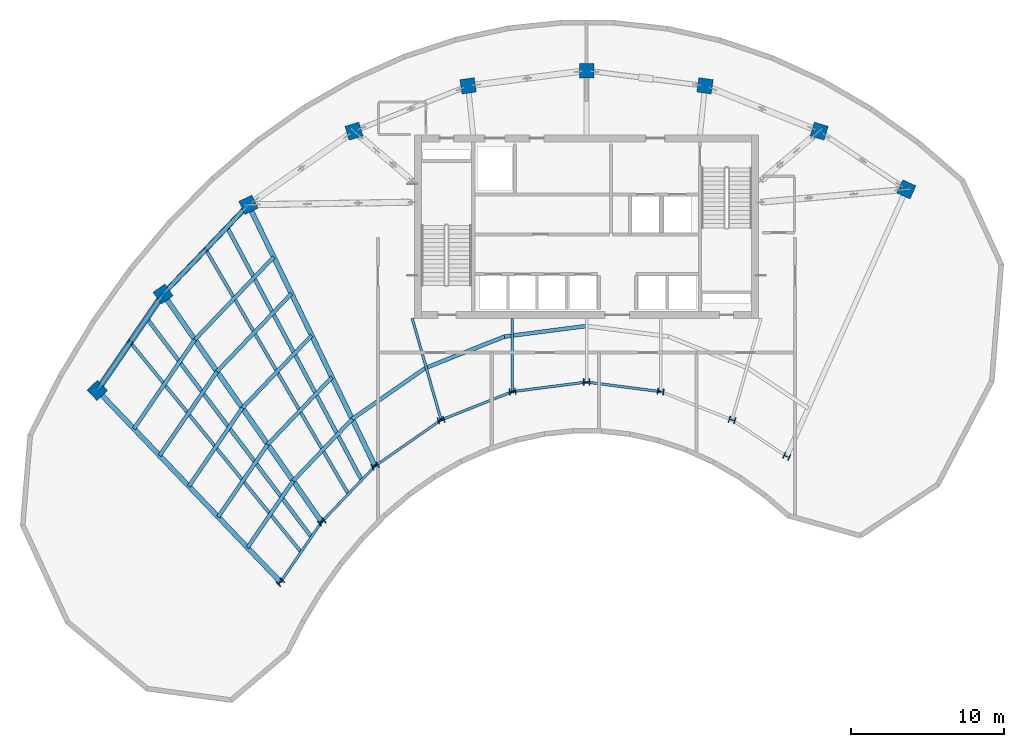
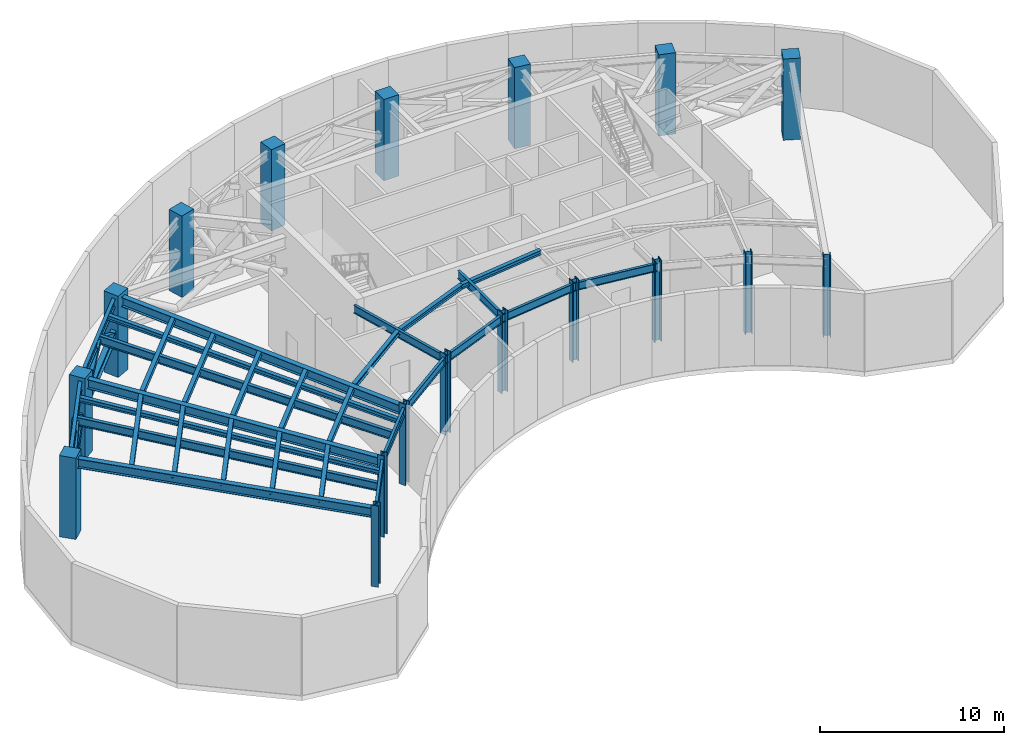
# One storey, part 1 of 10: 32 beams, 18 columns, 4 members.
"""IFC4 building model written with IfcOpenShell, lengths in metres."""

from ifc_helpers import new_model, si_unit, direction, frame, origin, origin_2d, place, context, subcontext, project, spatial, rectangle, hollow_rectangle, i_section, extrude, source, transform, mapped, material, material_profile, profile_set, type_object, type_shapes, element, save


model = new_model("IFC4")

# Units and contexts
model_context = context("Model", 3, precision=1e-05, world=origin(), true_north=direction((0.0, 1.0)))
body_context = subcontext(model_context, "Body", "Model", "MODEL_VIEW")
ifc_project = project(units=[si_unit("LENGTHUNIT", "METRE"), si_unit("AREAUNIT", "SQUARE_METRE"), si_unit("VOLUMEUNIT", "CUBIC_METRE"), si_unit("PLANEANGLEUNIT", "RADIAN"), si_unit("MASSUNIT", "GRAM", prefix="KILO")], contexts=[model_context])

# Site, building, storey
site_placement = place(None, origin())
site = spatial("IfcSite", under=ifc_project, at=site_placement, CompositionType="ELEMENT")
building_placement = place(site_placement, origin())
building = spatial("IfcBuilding", under=site, at=building_placement, Name="Breltana Convention Tower", CompositionType="ELEMENT")
storey_placement = place(building_placement, frame((0.0, 0.0, 254.699951171875)))
storey = spatial("IfcBuildingStorey", under=building, at=storey_placement, Name="L62", CompositionType="ELEMENT", Elevation=254.699951171875)

# Columns
ifc_material_1 = material(Name="Steel ASTM A992 Grade 50", Category="steel")
ifc_material_profile_1 = material_profile(ifc_material_1, i_section(OverallWidth=0.406005859375, OverallDepth=0.416015625, WebThickness=0.02978515625, FlangeThickness=0.048095703125, at=origin_2d()), Name="W14X257")
ifc_profile_set_1 = profile_set([ifc_material_profile_1], Name="Steel ASTM A992 Grade 50")
column_type_1 = type_object("IfcColumnType", Name="COL-STL-W14X257", PredefinedType="COLUMN", material=ifc_profile_set_1)
shared_shape_1 = source(origin(), body_context, "Body", "SweptSolid", [
    extrude(i_section(OverallWidth=0.406005859375, OverallDepth=0.416015625, WebThickness=0.02978515625, FlangeThickness=0.048095703125, at=origin_2d()), origin(), (0.0, 0.0, 1.0), 5.400146484375),
])
for number, where, z_axis, x_axis, name in (
    (1, (27.984619140625, 42.95458984375, 0.0), (0.0, 0.0, 1.0), (-0.690756218984, 0.723087716626, 0.0), "L62 Tower Column R01-IN"),
    (2, (30.67724609375, 46.892333984375, 0.0), (0.0, 0.0, 1.0), (-0.571143442153, 0.820850271661, 0.0), "L62 Tower Column R02-IN"),
    (3, (34.166259765625, 50.544921875, 0.0), (0.0, 0.0, 1.0), (-0.436173672171, 0.899862504889, 0.0), "L62 Tower Column R03-IN"),
    (4, (38.485107421875, 53.5576171875, 0.0), (0.0, 0.0, 1.0), (-0.288697611798, 0.957420330337, 0.0), "L62 Tower Column R04-IN"),
    (5, (43.153564453125, 55.41064453125, 0.0), (0.0, 0.0, 1.0), (-0.143492621991, 0.98965138682, 0.0), "L62 Tower Column R05-IN"),
    (6, (48.0, 56.035888671875, 0.0), (0.0, 0.0, 1.0), (0.0, 1.0, 0.0), "L62 Tower Column R06-IN"),
    (7, (52.846435546875, 55.41064453125, 0.0), (0.0, 0.0, 1.0), (0.143492621991, 0.98965138682, 0.0), "L62 Tower Column R07-IN"),
    (8, (57.514892578125, 53.5576171875, 0.0), (0.0, 0.0, 1.0), (0.288697611798, 0.957420330337, 0.0), "L62 Tower Column R08-IN"),
    (9, (61.08203125, 51.174560546875, 0.0), (0.0, 0.0, 1.0), (0.409126902895, 0.912477494148, 0.0), "L62 Tower Column R09-IN"),
):
    element("IfcColumn", number, at=place(storey_placement, frame(where, z_axis=z_axis, x_axis=x_axis)), inside=storey, type_object=column_type_1, Name=name, PredefinedType="COLUMN", context=body_context, shape_type="MappedRepresentation", body=[
        mapped(shared_shape_1, transform((0.0, 0.0, 0.0), scale=1.0)),
    ])
ifc_material_2 = material(Name="Concrete C50/60", Category="concrete")
ifc_material_profile_2 = material_profile(ifc_material_2, rectangle(XDim=0.949951171875, YDim=0.949951171875, at=origin_2d()), Name="RC-COL-950X950")
ifc_profile_set_2 = profile_set([ifc_material_profile_2], Name="Concrete C50/60")
column_type_2 = type_object("IfcColumnType", Name="COL-RC-950", PredefinedType="COLUMN", material=ifc_profile_set_2)
shared_shape_2 = source(origin(), body_context, "Body", "SweptSolid", [
    extrude(rectangle(XDim=0.949951171875, YDim=0.949951171875, at=origin_2d()), origin(), (0.0, 0.0, 1.0), 5.400146484375),
])
for number, where, z_axis, x_axis, name in (
    (10, (16.0068359375, 55.494384765625, 0.0), (0.0, 0.0, 1.0), (-0.690756218984, 0.723087716626, 0.0), "L62 Tower Column R01-OUT"),
    (11, (20.310791015625, 61.78857421875, 0.0), (0.0, 0.0, 1.0), (-0.571143442153, 0.820850271661, 0.0), "L62 Tower Column R02-OUT"),
    (12, (25.8876953125, 67.626953125, 0.0), (0.0, 0.0, 1.0), (-0.436173672171, 0.899862504889, 0.0), "L62 Tower Column R03-OUT"),
    (13, (32.791015625, 72.4423828125, 0.0), (0.0, 0.0, 1.0), (-0.288697611798, 0.957420330337, 0.0), "L62 Tower Column R04-OUT"),
    (14, (40.253173828125, 75.404296875, 0.0), (0.0, 0.0, 1.0), (-0.143492621991, 0.98965138682, 0.0), "L62 Tower Column R05-OUT"),
    (15, (48.0, 76.404052734375, 0.0), (0.0, 0.0, 1.0), (0.0, 1.0, 0.0), "L62 Tower Column R06-OUT"),
    (16, (55.746826171875, 75.404296875, 0.0), (0.0, 0.0, 1.0), (0.143492621991, 0.98965138682, 0.0), "L62 Tower Column R07-OUT"),
    (17, (63.208984375, 72.4423828125, 0.0), (0.0, 0.0, 1.0), (0.288697611798, 0.957420330337, 0.0), "L62 Tower Column R08-OUT"),
    (18, (68.910400390625, 68.63330078125, 0.0), (0.0, 0.0, 1.0), (0.409126902895, 0.912477494148, 0.0), "L62 Tower Column R09-OUT"),
):
    element("IfcColumn", number, at=place(storey_placement, frame(where, z_axis=z_axis, x_axis=x_axis)), inside=storey, type_object=column_type_2, Name=name, PredefinedType="COLUMN", context=body_context, shape_type="MappedRepresentation", body=[
        mapped(shared_shape_2, transform((0.0, 0.0, 0.0), scale=1.0)),
    ])

# Beams
ifc_material_profile_3 = material_profile(ifc_material_1, i_section(OverallWidth=0.323974609375, OverallDepth=0.611083984375, WebThickness=0.0126953125, FlangeThickness=0.01904296875, at=origin_2d()), Name="W24X104")
ifc_profile_set_3 = profile_set([ifc_material_profile_3], Name="Steel ASTM A992 Grade 50")
beam_type_1 = type_object("IfcBeamType", Name="BM-SP-W24X104", PredefinedType="SPANDREL", material=ifc_profile_set_3)
shared_shape_3 = source(origin(), body_context, "Body", "SweptSolid", [
    extrude(i_section(OverallWidth=0.323974609375, OverallDepth=0.611083984375, WebThickness=0.0126953125, FlangeThickness=0.01904296875, at=origin_2d()), origin(), (0.0, 0.0, 1.0), 7.625),
])
type_shapes(beam_type_1, [shared_shape_3])
beam_1_placement = place(storey_placement, frame((16.0068359375, 55.494384765625, 2.75), z_axis=(0.564452031902, 0.825465870694, 0.0), x_axis=(-0.825465870694, 0.564452031902, 0.0)))
element("IfcBeam", 19, at=beam_1_placement, inside=storey, type_object=beam_type_1, Name="L62 Perimeter Belt Truss Sill Chord 01", PredefinedType="SPANDREL", context=body_context, shape_type="MappedRepresentation", body=[
    mapped(shared_shape_3, transform((0.0, 0.0, 0.0), scale=1.0)),
])
shared_shape_4 = source(origin(), body_context, "Body", "SweptSolid", [
    extrude(i_section(OverallWidth=0.323974609375, OverallDepth=0.611083984375, WebThickness=0.0126953125, FlangeThickness=0.01904296875, at=origin_2d()), origin(), (0.0, 0.0, 1.0), 8.073974609375),
])
beam_2_placement = place(storey_placement, frame((20.310791015625, 61.78857421875, 2.75), z_axis=(0.69072885448, 0.723113856588, 0.0), x_axis=(-0.723113856588, 0.69072885448, 0.0)))
element("IfcBeam", 20, at=beam_2_placement, inside=storey, type_object=beam_type_1, Name="L62 Perimeter Belt Truss Sill Chord 02", PredefinedType="SPANDREL", context=body_context, shape_type="MappedRepresentation", body=[
    mapped(shared_shape_4, transform((0.0, 0.0, 0.0), scale=1.0)),
])

# Members
ifc_material_3 = material(Name="Steel EN 10210 S355J2H", Category="steel")
ifc_material_profile_4 = material_profile(ifc_material_3, hollow_rectangle(XDim=0.39990234375, YDim=0.39990234375, WallThickness=0.01611328125, at=origin_2d()), Name="RHS400X400X16")
ifc_profile_set_4 = profile_set([ifc_material_profile_4], Name="Steel EN 10210 S355J2H")
member_type_1 = type_object("IfcMemberType", Name="MB-BR-RHS400X400X16", PredefinedType="BRACE", material=ifc_profile_set_4)
shared_shape_5 = source(origin(), body_context, "Body", "SweptSolid", [
    extrude(hollow_rectangle(XDim=0.39990234375, YDim=0.39990234375, WallThickness=0.01611328125, at=origin_2d()), origin(), (0.0, 0.0, 1.0), 3.833740234375),
])
for number, where, z_axis, x_axis, name in (
    (21, (16.3173828125, 55.948486328125, 2.75), (0.48034568641, 0.702464969745, 0.525177101395), (-0.825465080883, 0.564453186937, 0.0), "L62 Perimeter Belt Truss Brace 01A"),
    (22, (18.158935546875, 58.6416015625, 4.763427734375), (0.48034568641, 0.702464969745, -0.525177101395), (-0.825465080883, 0.564453186937, 0.0), "L62 Perimeter Belt Truss Brace 01B"),
):
    element("IfcMember", number, at=place(storey_placement, frame(where, z_axis=z_axis, x_axis=x_axis)), inside=storey, type_object=member_type_1, Name=name, PredefinedType="BRACE", context=body_context, shape_type="MappedRepresentation", body=[
        mapped(shared_shape_5, transform((0.0, 0.0, 0.0), scale=1.0)),
    ])
ifc_material_profile_5 = material_profile(ifc_material_3, hollow_rectangle(XDim=0.300048828125, YDim=0.300048828125, WallThickness=0.011962890625, at=origin_2d()), Name="RHS300X300X12")
ifc_profile_set_5 = profile_set([ifc_material_profile_5], Name="Steel EN 10210 S355J2H")
member_type_2 = type_object("IfcMemberType", Name="MB-BR-RHS300X300X12", PredefinedType="BRACE", material=ifc_profile_set_5)
shared_shape_6 = source(origin(), body_context, "Body", "SweptSolid", [
    extrude(hollow_rectangle(XDim=0.300048828125, YDim=0.300048828125, WallThickness=0.011962890625, at=origin_2d()), origin(), (0.0, 0.0, 1.0), 4.0263671875),
])
for number, where, z_axis, x_axis, name in (
    (23, (20.69091796875, 62.186279296875, 2.75), (0.598154784914, 0.626228344511, 0.500048911423), (-0.723129787631, 0.690712176121, 0.0), "L62 Perimeter Belt Truss Brace 02A"),
    (24, (23.099365234375, 64.707763671875, 4.763427734375), (0.598154784914, 0.626228344511, -0.500048911423), (-0.723129787631, 0.690712176121, 0.0), "L62 Perimeter Belt Truss Brace 02B"),
):
    element("IfcMember", number, at=place(storey_placement, frame(where, z_axis=z_axis, x_axis=x_axis)), inside=storey, type_object=member_type_2, Name=name, PredefinedType="BRACE", context=body_context, shape_type="MappedRepresentation", body=[
        mapped(shared_shape_6, transform((0.0, 0.0, 0.0), scale=1.0)),
    ])

# Beams
ifc_material_profile_6 = material_profile(ifc_material_1, i_section(OverallWidth=0.166015625, OverallDepth=0.534912109375, WebThickness=0.01025390625, FlangeThickness=0.0166015625, at=origin_2d()), Name="W21X57")
ifc_profile_set_6 = profile_set([ifc_material_profile_6], Name="Steel ASTM A992 Grade 50")
beam_type_2 = type_object("IfcBeamType", Name="BM-BM-W21X57", PredefinedType="BEAM", material=ifc_profile_set_6)
shared_shape_7 = source(origin(), body_context, "Body", "SweptSolid", [
    extrude(i_section(OverallWidth=0.166015625, OverallDepth=0.534912109375, WebThickness=0.01025390625, FlangeThickness=0.0166015625, at=origin_2d()), origin(), (0.0, 0.0, 1.0), 6.904541015625),
])
type_shapes(beam_type_2, [shared_shape_7])
beam_3_placement = place(storey_placement, frame((36.60009765625, 60.199951171875, 4.882568359375), z_axis=(0.273006781054, -0.962012108811, 0.0), x_axis=(0.962012108811, 0.273006781054, 0.0)))
element("IfcBeam", 25, at=beam_3_placement, inside=storey, type_object=beam_type_2, Name="L62 South Core Tie Girder R04", PredefinedType="BEAM", context=body_context, shape_type="MappedRepresentation", body=[
    mapped(shared_shape_7, transform((0.0, 0.0, 0.0), scale=1.0)),
])
shared_shape_8 = source(origin(), body_context, "Body", "SweptSolid", [
    extrude(i_section(OverallWidth=0.166015625, OverallDepth=0.534912109375, WebThickness=0.01025390625, FlangeThickness=0.0166015625, at=origin_2d()), origin(), (0.0, 0.0, 1.0), 4.789306640625),
])
beam_4_placement = place(storey_placement, frame((43.153564453125, 60.199951171875, 4.882568359375), z_axis=(0.0, -1.0, 0.0), x_axis=(1.0, 0.0, 0.0)))
element("IfcBeam", 26, at=beam_4_placement, inside=storey, type_object=beam_type_2, Name="L62 South Core Tie Girder R05", PredefinedType="BEAM", context=body_context, shape_type="MappedRepresentation", body=[
    mapped(shared_shape_8, transform((0.0, 0.0, 0.0), scale=1.0)),
])
shared_shape_9 = source(origin(), body_context, "Body", "SweptSolid", [
    extrude(i_section(OverallWidth=0.166015625, OverallDepth=0.534912109375, WebThickness=0.01025390625, FlangeThickness=0.0166015625, at=origin_2d()), origin(), (0.0, 0.0, 1.0), 4.770263671875),
])
beam_5_placement = place(storey_placement, frame((27.984619140625, 42.95458984375, 4.882568359375), z_axis=(0.564452719055, 0.82546540082, 0.0), x_axis=(-0.82546540082, 0.564452719055, 0.0)))
element("IfcBeam", 27, at=beam_5_placement, inside=storey, type_object=beam_type_2, Name="L62 Inner Ring Beam 01", PredefinedType="BEAM", context=body_context, shape_type="MappedRepresentation", body=[
    mapped(shared_shape_9, transform((0.0, 0.0, 0.0), scale=1.0)),
])
shared_shape_10 = source(origin(), body_context, "Body", "SweptSolid", [
    extrude(i_section(OverallWidth=0.166015625, OverallDepth=0.534912109375, WebThickness=0.01025390625, FlangeThickness=0.0166015625, at=origin_2d()), origin(), (0.0, 0.0, 1.0), 5.05126953125),
])
beam_6_placement = place(storey_placement, frame((30.67724609375, 46.892333984375, 4.882568359375), z_axis=(0.690729753845, 0.7231129975, 0.0), x_axis=(-0.7231129975, 0.690729753845, 0.0)))
element("IfcBeam", 28, at=beam_6_placement, inside=storey, type_object=beam_type_2, Name="L62 Inner Ring Beam 02", PredefinedType="BEAM", context=body_context, shape_type="MappedRepresentation", body=[
    mapped(shared_shape_10, transform((0.0, 0.0, 0.0), scale=1.0)),
])
shared_shape_11 = source(origin(), body_context, "Body", "SweptSolid", [
    extrude(i_section(OverallWidth=0.166015625, OverallDepth=0.534912109375, WebThickness=0.01025390625, FlangeThickness=0.0166015625, at=origin_2d()), origin(), (0.0, 0.0, 1.0), 5.265869140625),
])
beam_7_placement = place(storey_placement, frame((34.166259765625, 50.544921875, 4.882568359375), z_axis=(0.820167429517, 0.572123577176, 0.0), x_axis=(-0.572123577176, 0.820167429517, 0.0)))
element("IfcBeam", 29, at=beam_7_placement, inside=storey, type_object=beam_type_2, Name="L62 Inner Ring Beam 03", PredefinedType="BEAM", context=body_context, shape_type="MappedRepresentation", body=[
    mapped(shared_shape_11, transform((0.0, 0.0, 0.0), scale=1.0)),
])
shared_shape_12 = source(origin(), body_context, "Body", "SweptSolid", [
    extrude(i_section(OverallWidth=0.166015625, OverallDepth=0.534912109375, WebThickness=0.01025390625, FlangeThickness=0.0166015625, at=origin_2d()), origin(), (0.0, 0.0, 1.0), 5.022705078125),
])
beam_8_placement = place(storey_placement, frame((38.485107421875, 53.5576171875, 4.882568359375), z_axis=(0.929458966248, 0.368925507469, 0.0), x_axis=(-0.368925507469, 0.929458966248, 0.0)))
element("IfcBeam", 30, at=beam_8_placement, inside=storey, type_object=beam_type_2, Name="L62 Inner Ring Beam 04", PredefinedType="BEAM", context=body_context, shape_type="MappedRepresentation", body=[
    mapped(shared_shape_12, transform((0.0, 0.0, 0.0), scale=1.0)),
])
shared_shape_13 = source(origin(), body_context, "Body", "SweptSolid", [
    extrude(i_section(OverallWidth=0.166015625, OverallDepth=0.534912109375, WebThickness=0.01025390625, FlangeThickness=0.0166015625, at=origin_2d()), origin(), (0.0, 0.0, 1.0), 4.88671875),
])
for number, where, z_axis, x_axis, name in (
    (31, (43.153564453125, 55.41064453125, 4.882568359375), (0.991780525565, 0.127950729231, 0.0), (-0.127950729231, 0.991780525565, 0.0), "L62 Inner Ring Beam 05"),
    (32, (48.0, 56.035888671875, 4.882568359375), (0.991780525565, -0.127950729231, 0.0), (0.127950729231, 0.991780525565, 0.0), "L62 Inner Ring Beam 06"),
):
    element("IfcBeam", number, at=place(storey_placement, frame(where, z_axis=z_axis, x_axis=x_axis)), inside=storey, type_object=beam_type_2, Name=name, PredefinedType="BEAM", context=body_context, shape_type="MappedRepresentation", body=[
        mapped(shared_shape_13, transform((0.0, 0.0, 0.0), scale=1.0)),
    ])
ifc_material_profile_7 = material_profile(ifc_material_1, i_section(OverallWidth=0.214111328125, OverallDepth=0.549072265625, WebThickness=0.0146484375, FlangeThickness=0.023681640625, at=origin_2d()), Name="W21X93")
ifc_profile_set_7 = profile_set([ifc_material_profile_7], Name="Steel ASTM A992 Grade 50")
beam_type_3 = type_object("IfcBeamType", Name="BM-JSG-03", PredefinedType="JOIST", material=ifc_profile_set_7)
shared_shape_14 = source(origin(), body_context, "Body", "SweptSolid", [
    extrude(i_section(OverallWidth=0.214111328125, OverallDepth=0.549072265625, WebThickness=0.0146484375, FlangeThickness=0.023681640625, at=origin_2d()), origin(), (0.0, 0.0, 1.0), 17.691650390625),
])
beam_9_placement = place(storey_placement, frame((29.330810546875, 44.923583984375, 4.87548828125), z_axis=(-0.631476958478, 0.775394642044, 0.0), x_axis=(-0.775394642044, -0.631476958478, 0.0)))
element("IfcBeam", 33, at=beam_9_placement, inside=storey, type_object=beam_type_3, Name="L62 Mid-Bay Radial Trimmer 01", PredefinedType="JOIST", context=body_context, shape_type="MappedRepresentation", body=[
    mapped(shared_shape_14, transform((0.0, 0.0, 0.0), scale=1.0)),
])
ifc_material_profile_8 = material_profile(ifc_material_1, i_section(OverallWidth=0.25390625, OverallDepth=0.305908203125, WebThickness=0.0087890625, FlangeThickness=0.0146484375, at=origin_2d()), Name="W12X53")
ifc_profile_set_8 = profile_set([ifc_material_profile_8], Name="Steel ASTM A992 Grade 50")
beam_type_4 = type_object("IfcBeamType", Name="BM-JSG-10", PredefinedType="JOIST", material=ifc_profile_set_8)
shared_shape_15 = source(origin(), body_context, "Body", "SweptSolid", [
    extrude(i_section(OverallWidth=0.25390625, OverallDepth=0.305908203125, WebThickness=0.0087890625, FlangeThickness=0.0146484375, at=origin_2d()), origin(), (0.0, 0.0, 1.0), 17.9072265625),
])
beam_10_placement = place(storey_placement, frame((30.00390625, 45.907958984375, 4.9970703125), z_axis=(-0.601382105028, 0.798961553363, 0.0), x_axis=(-0.798961553363, -0.601382105028, 0.0)))
element("IfcBeam", 34, at=beam_10_placement, inside=storey, type_object=beam_type_4, Name="L62 Quarter-Bay Radial Trimmer 01", PredefinedType="JOIST", context=body_context, shape_type="MappedRepresentation", body=[
    mapped(shared_shape_15, transform((0.0, 0.0, 0.0), scale=1.0)),
])
shared_shape_16 = source(origin(), body_context, "Body", "SweptSolid", [
    extrude(i_section(OverallWidth=0.214111328125, OverallDepth=0.549072265625, WebThickness=0.0146484375, FlangeThickness=0.023681640625, at=origin_2d()), origin(), (0.0, 0.0, 1.0), 18.50830078125),
])
beam_11_placement = place(storey_placement, frame((32.421630859375, 48.71875, 4.87548828125), z_axis=(-0.50368319637, 0.863888440537, 0.0), x_axis=(-0.863888440537, -0.50368319637, 0.0)))
element("IfcBeam", 35, at=beam_11_placement, inside=storey, type_object=beam_type_3, Name="L62 Mid-Bay Radial Trimmer 02", PredefinedType="JOIST", context=body_context, shape_type="MappedRepresentation", body=[
    mapped(shared_shape_16, transform((0.0, 0.0, 0.0), scale=1.0)),
])
shared_shape_17 = source(origin(), body_context, "Body", "SweptSolid", [
    extrude(i_section(OverallWidth=0.25390625, OverallDepth=0.305908203125, WebThickness=0.0087890625, FlangeThickness=0.0146484375, at=origin_2d()), origin(), (0.0, 0.0, 1.0), 18.731689453125),
])
beam_12_placement = place(storey_placement, frame((33.2939453125, 49.6318359375, 4.9970703125), z_axis=(-0.469820250451, 0.882762104004, 0.0), x_axis=(-0.882762104004, -0.469820250451, 0.0)))
element("IfcBeam", 36, at=beam_12_placement, inside=storey, type_object=beam_type_4, Name="L62 Quarter-Bay Radial Trimmer 02", PredefinedType="JOIST", context=body_context, shape_type="MappedRepresentation", body=[
    mapped(shared_shape_17, transform((0.0, 0.0, 0.0), scale=1.0)),
])
ifc_material_profile_9 = material_profile(ifc_material_1, i_section(OverallWidth=0.326904296875, OverallDepth=0.6220703125, WebThickness=0.015380859375, FlangeThickness=0.0244140625, at=origin_2d()), Name="W24X131")
ifc_profile_set_9 = profile_set([ifc_material_profile_9], Name="Steel ASTM A992 Grade 50")
beam_type_5 = type_object("IfcBeamType", Name="BM-RG-W24X131", PredefinedType="USERDEFINED", material=ifc_profile_set_9)
shared_shape_18 = source(origin(), body_context, "Body", "SweptSolid", [
    extrude(i_section(OverallWidth=0.326904296875, OverallDepth=0.6220703125, WebThickness=0.015380859375, FlangeThickness=0.0244140625, at=origin_2d()), origin(), (0.0, 0.0, 1.0), 17.341064453125),
])
type_shapes(beam_type_5, [shared_shape_18])
beam_13_placement = place(storey_placement, frame((27.984619140625, 42.95458984375, 4.839111328125), z_axis=(-0.690716462293, 0.723125693581, 0.0), x_axis=(-0.723125693581, -0.690716462293, 0.0)))
element("IfcBeam", 37, at=beam_13_placement, inside=storey, type_object=beam_type_5, Name="L62 Radial Floor Girder R01", ObjectType="GIRDER", PredefinedType="USERDEFINED", context=body_context, shape_type="MappedRepresentation", body=[
    mapped(shared_shape_18, transform((0.0, 0.0, 0.0), scale=1.0)),
])
shared_shape_19 = source(origin(), body_context, "Body", "SweptSolid", [
    extrude(i_section(OverallWidth=0.326904296875, OverallDepth=0.6220703125, WebThickness=0.015380859375, FlangeThickness=0.0244140625, at=origin_2d()), origin(), (0.0, 0.0, 1.0), 18.1484375),
])
beam_14_placement = place(storey_placement, frame((30.67724609375, 46.892333984375, 4.839111328125), z_axis=(-0.571207556098, 0.820805657788, 0.0), x_axis=(-0.820805657788, -0.571207556098, 0.0)))
element("IfcBeam", 38, at=beam_14_placement, inside=storey, type_object=beam_type_5, Name="L62 Radial Floor Girder R02", ObjectType="GIRDER", PredefinedType="USERDEFINED", context=body_context, shape_type="MappedRepresentation", body=[
    mapped(shared_shape_19, transform((0.0, 0.0, 0.0), scale=1.0)),
])
shared_shape_20 = source(origin(), body_context, "Body", "SweptSolid", [
    extrude(i_section(OverallWidth=0.326904296875, OverallDepth=0.6220703125, WebThickness=0.015380859375, FlangeThickness=0.0244140625, at=origin_2d()), origin(), (0.0, 0.0, 1.0), 18.982421875),
])
beam_15_placement = place(storey_placement, frame((34.166259765625, 50.544921875, 4.839111328125), z_axis=(-0.436118560343, 0.89988921614, 0.0), x_axis=(-0.89988921614, -0.436118560343, 0.0)))
element("IfcBeam", 39, at=beam_15_placement, inside=storey, type_object=beam_type_5, Name="L62 Radial Floor Girder R03", ObjectType="GIRDER", PredefinedType="USERDEFINED", context=body_context, shape_type="MappedRepresentation", body=[
    mapped(shared_shape_20, transform((0.0, 0.0, 0.0), scale=1.0)),
])
ifc_material_profile_10 = material_profile(ifc_material_1, i_section(OverallWidth=0.214111328125, OverallDepth=0.549072265625, WebThickness=0.0146484375, FlangeThickness=0.023681640625, at=origin_2d()), Name="W21X93")
ifc_profile_set_10 = profile_set([ifc_material_profile_10], Name="Steel ASTM A992 Grade 50")
beam_type_6 = type_object("IfcBeamType", Name="BM-SP-W21X93", PredefinedType="SPANDREL", material=ifc_profile_set_10)
shared_shape_21 = source(origin(), body_context, "Body", "SweptSolid", [
    extrude(i_section(OverallWidth=0.214111328125, OverallDepth=0.549072265625, WebThickness=0.0146484375, FlangeThickness=0.023681640625, at=origin_2d()), origin(), (0.0, 0.0, 1.0), 7.625),
])
type_shapes(beam_type_6, [shared_shape_21])
beam_16_placement = place(storey_placement, frame((16.0068359375, 55.494384765625, 4.87548828125), z_axis=(0.564452031902, 0.825465870694, 0.0), x_axis=(-0.825465870694, 0.564452031902, 0.0)))
element("IfcBeam", 40, at=beam_16_placement, inside=storey, type_object=beam_type_6, Name="L62 Outer Spandrel Beam 01", PredefinedType="SPANDREL", context=body_context, shape_type="MappedRepresentation", body=[
    mapped(shared_shape_21, transform((0.0, 0.0, 0.0), scale=1.0)),
])
shared_shape_22 = source(origin(), body_context, "Body", "SweptSolid", [
    extrude(i_section(OverallWidth=0.214111328125, OverallDepth=0.549072265625, WebThickness=0.0146484375, FlangeThickness=0.023681640625, at=origin_2d()), origin(), (0.0, 0.0, 1.0), 8.073974609375),
])
beam_17_placement = place(storey_placement, frame((20.310791015625, 61.78857421875, 4.87548828125), z_axis=(0.69072885448, 0.723113856588, 0.0), x_axis=(-0.723113856588, 0.69072885448, 0.0)))
element("IfcBeam", 41, at=beam_17_placement, inside=storey, type_object=beam_type_6, Name="L62 Outer Spandrel Beam 02", PredefinedType="SPANDREL", context=body_context, shape_type="MappedRepresentation", body=[
    mapped(shared_shape_22, transform((0.0, 0.0, 0.0), scale=1.0)),
])
shared_shape_23 = source(origin(), body_context, "Body", "SweptSolid", [
    extrude(i_section(OverallWidth=0.25390625, OverallDepth=0.305908203125, WebThickness=0.0087890625, FlangeThickness=0.0146484375, at=origin_2d()), origin(), (0.0, 0.0, 1.0), 5.2841796875),
])
beam_18_placement = place(storey_placement, frame((25.82861328125, 45.2119140625, 4.9970703125), z_axis=(0.564460290479, 0.825460223434, 0.0), x_axis=(-0.825460223434, 0.564460290479, 0.0)))
element("IfcBeam", 42, at=beam_18_placement, inside=storey, type_object=beam_type_4, Name="L62 Composite Floor Joist 01.1", PredefinedType="JOIST", context=body_context, shape_type="MappedRepresentation", body=[
    mapped(shared_shape_23, transform((0.0, 0.0, 0.0), scale=1.0)),
])
shared_shape_24 = source(origin(), body_context, "Body", "SweptSolid", [
    extrude(i_section(OverallWidth=0.25390625, OverallDepth=0.305908203125, WebThickness=0.0087890625, FlangeThickness=0.0146484375, at=origin_2d()), origin(), (0.0, 0.0, 1.0), 5.74072265625),
])
beam_19_placement = place(storey_placement, frame((23.912109375, 47.21826171875, 4.9970703125), z_axis=(0.5644658829, 0.825456399238, 0.0), x_axis=(-0.825456399238, 0.5644658829, 0.0)))
element("IfcBeam", 43, at=beam_19_placement, inside=storey, type_object=beam_type_4, Name="L62 Composite Floor Joist 01.2", PredefinedType="JOIST", context=body_context, shape_type="MappedRepresentation", body=[
    mapped(shared_shape_24, transform((0.0, 0.0, 0.0), scale=1.0)),
])
shared_shape_25 = source(origin(), body_context, "Body", "SweptSolid", [
    extrude(i_section(OverallWidth=0.25390625, OverallDepth=0.305908203125, WebThickness=0.0087890625, FlangeThickness=0.0146484375, at=origin_2d()), origin(), (0.0, 0.0, 1.0), 6.19775390625),
])
beam_20_placement = place(storey_placement, frame((21.99560546875, 49.224609375, 4.9970703125), z_axis=(0.56447913712, 0.825447335544, 0.0), x_axis=(-0.825447335544, 0.56447913712, 0.0)))
element("IfcBeam", 44, at=beam_20_placement, inside=storey, type_object=beam_type_4, Name="L62 Composite Floor Joist 01.3", PredefinedType="JOIST", context=body_context, shape_type="MappedRepresentation", body=[
    mapped(shared_shape_25, transform((0.0, 0.0, 0.0), scale=1.0)),
])
shared_shape_26 = source(origin(), body_context, "Body", "SweptSolid", [
    extrude(i_section(OverallWidth=0.25390625, OverallDepth=0.305908203125, WebThickness=0.0087890625, FlangeThickness=0.0146484375, at=origin_2d()), origin(), (0.0, 0.0, 1.0), 6.654541015625),
])
beam_21_placement = place(storey_placement, frame((20.0791015625, 51.23095703125, 4.9970703125), z_axis=(0.564482668195, 0.82544492082, 0.0), x_axis=(-0.82544492082, 0.564482668195, 0.0)))
element("IfcBeam", 45, at=beam_21_placement, inside=storey, type_object=beam_type_4, Name="L62 Composite Floor Joist 01.4", PredefinedType="JOIST", context=body_context, shape_type="MappedRepresentation", body=[
    mapped(shared_shape_26, transform((0.0, 0.0, 0.0), scale=1.0)),
])
shared_shape_27 = source(origin(), body_context, "Body", "SweptSolid", [
    extrude(i_section(OverallWidth=0.25390625, OverallDepth=0.305908203125, WebThickness=0.0087890625, FlangeThickness=0.0146484375, at=origin_2d()), origin(), (0.0, 0.0, 1.0), 7.05419921875),
])
beam_22_placement = place(storey_placement, frame((18.40234375, 52.986572265625, 4.9970703125), z_axis=(0.564485382828, 0.825443064405, 0.0), x_axis=(-0.825443064405, 0.564485382828, 0.0)))
element("IfcBeam", 46, at=beam_22_placement, inside=storey, type_object=beam_type_4, Name="L62 Composite Floor Joist 01.5", PredefinedType="JOIST", context=body_context, shape_type="MappedRepresentation", body=[
    mapped(shared_shape_27, transform((0.0, 0.0, 0.0), scale=1.0)),
])
shared_shape_28 = source(origin(), body_context, "Body", "SweptSolid", [
    extrude(i_section(OverallWidth=0.25390625, OverallDepth=0.305908203125, WebThickness=0.0087890625, FlangeThickness=0.0146484375, at=origin_2d()), origin(), (0.0, 0.0, 1.0), 5.59521484375),
])
beam_23_placement = place(storey_placement, frame((28.811279296875, 49.57373046875, 4.9970703125), z_axis=(0.690711281401, 0.72313064224, 0.0), x_axis=(-0.72313064224, 0.690711281401, 0.0)))
element("IfcBeam", 47, at=beam_23_placement, inside=storey, type_object=beam_type_4, Name="L62 Composite Floor Joist 02.1", PredefinedType="JOIST", context=body_context, shape_type="MappedRepresentation", body=[
    mapped(shared_shape_28, transform((0.0, 0.0, 0.0), scale=1.0)),
])
shared_shape_29 = source(origin(), body_context, "Body", "SweptSolid", [
    extrude(i_section(OverallWidth=0.25390625, OverallDepth=0.305908203125, WebThickness=0.0087890625, FlangeThickness=0.0146484375, at=origin_2d()), origin(), (0.0, 0.0, 1.0), 6.0791015625),
])
beam_24_placement = place(storey_placement, frame((27.152587890625, 51.95703125, 4.9970703125), z_axis=(0.690736468909, 0.723106583098, 0.0), x_axis=(-0.723106583098, 0.690736468909, 0.0)))
element("IfcBeam", 48, at=beam_24_placement, inside=storey, type_object=beam_type_4, Name="L62 Composite Floor Joist 02.2", PredefinedType="JOIST", context=body_context, shape_type="MappedRepresentation", body=[
    mapped(shared_shape_29, transform((0.0, 0.0, 0.0), scale=1.0)),
])
shared_shape_30 = source(origin(), body_context, "Body", "SweptSolid", [
    extrude(i_section(OverallWidth=0.25390625, OverallDepth=0.305908203125, WebThickness=0.0087890625, FlangeThickness=0.0146484375, at=origin_2d()), origin(), (0.0, 0.0, 1.0), 6.562255859375),
])
beam_25_placement = place(storey_placement, frame((25.494140625, 54.340576171875, 4.9970703125), z_axis=(0.690719038213, 0.723123233101, 0.0), x_axis=(-0.723123233101, 0.690719038213, 0.0)))
element("IfcBeam", 49, at=beam_25_placement, inside=storey, type_object=beam_type_4, Name="L62 Composite Floor Joist 02.3", PredefinedType="JOIST", context=body_context, shape_type="MappedRepresentation", body=[
    mapped(shared_shape_30, transform((0.0, 0.0, 0.0), scale=1.0)),
])
shared_shape_31 = source(origin(), body_context, "Body", "SweptSolid", [
    extrude(i_section(OverallWidth=0.25390625, OverallDepth=0.305908203125, WebThickness=0.0087890625, FlangeThickness=0.0146484375, at=origin_2d()), origin(), (0.0, 0.0, 1.0), 7.046142578125),
])
beam_26_placement = place(storey_placement, frame((23.83544921875, 56.723876953125, 4.9970703125), z_axis=(0.690722929904, 0.723119515782, 0.0), x_axis=(-0.723119515782, 0.690722929904, 0.0)))
element("IfcBeam", 50, at=beam_26_placement, inside=storey, type_object=beam_type_4, Name="L62 Composite Floor Joist 02.4", PredefinedType="JOIST", context=body_context, shape_type="MappedRepresentation", body=[
    mapped(shared_shape_31, transform((0.0, 0.0, 0.0), scale=1.0)),
])
shared_shape_32 = source(origin(), body_context, "Body", "SweptSolid", [
    extrude(i_section(OverallWidth=0.25390625, OverallDepth=0.305908203125, WebThickness=0.0087890625, FlangeThickness=0.0146484375, at=origin_2d()), origin(), (0.0, 0.0, 1.0), 7.469482421875),
])
beam_27_placement = place(storey_placement, frame((22.38427734375, 58.809326171875, 4.9970703125), z_axis=(0.690708925898, 0.723132892133, 0.0), x_axis=(-0.723132892133, 0.690708925898, 0.0)))
element("IfcBeam", 51, at=beam_27_placement, inside=storey, type_object=beam_type_4, Name="L62 Composite Floor Joist 02.5", PredefinedType="JOIST", context=body_context, shape_type="MappedRepresentation", body=[
    mapped(shared_shape_32, transform((0.0, 0.0, 0.0), scale=1.0)),
])
shared_shape_33 = source(origin(), body_context, "Body", "SweptSolid", [
    extrude(i_section(OverallWidth=0.25390625, OverallDepth=0.305908203125, WebThickness=0.0087890625, FlangeThickness=0.0146484375, at=origin_2d()), origin(), (0.0, 0.0, 1.0), 5.8330078125),
])
beam_28_placement = place(storey_placement, frame((32.676025390625, 53.619873046875, 4.9970703125), z_axis=(0.820198204115, 0.572079457739, 0.0), x_axis=(-0.572079457739, 0.820198204115, 0.0)))
element("IfcBeam", 52, at=beam_28_placement, inside=storey, type_object=beam_type_4, Name="L62 Composite Floor Joist 03.1", PredefinedType="JOIST", context=body_context, shape_type="MappedRepresentation", body=[
    mapped(shared_shape_33, transform((0.0, 0.0, 0.0), scale=1.0)),
])
shared_shape_34 = source(origin(), body_context, "Body", "SweptSolid", [
    extrude(i_section(OverallWidth=0.25390625, OverallDepth=0.305908203125, WebThickness=0.0087890625, FlangeThickness=0.0146484375, at=origin_2d()), origin(), (0.0, 0.0, 1.0), 5.563720703125),
])
beam_29_placement = place(storey_placement, frame((37.460205078125, 56.956787109375, 4.9970703125), z_axis=(0.929447960386, 0.368953234074, 0.0), x_axis=(-0.368953234074, 0.929447960386, 0.0)))
element("IfcBeam", 53, at=beam_29_placement, inside=storey, type_object=beam_type_4, Name="L62 Composite Floor Joist 04.1", PredefinedType="JOIST", context=body_context, shape_type="MappedRepresentation", body=[
    mapped(shared_shape_34, transform((0.0, 0.0, 0.0), scale=1.0)),
])
shared_shape_35 = source(origin(), body_context, "Body", "SweptSolid", [
    extrude(i_section(OverallWidth=0.25390625, OverallDepth=0.305908203125, WebThickness=0.0087890625, FlangeThickness=0.0146484375, at=origin_2d()), origin(), (0.0, 0.0, 1.0), 5.4130859375),
])
beam_30_placement = place(storey_placement, frame((42.63134765625, 59.009521484375, 4.9970703125), z_axis=(0.991780266945, 0.127952733848, 0.0), x_axis=(-0.127952733848, 0.991780266945, 0.0)))
element("IfcBeam", 54, at=beam_30_placement, inside=storey, type_object=beam_type_4, Name="L62 Composite Floor Joist 05.1", PredefinedType="JOIST", context=body_context, shape_type="MappedRepresentation", body=[
    mapped(shared_shape_35, transform((0.0, 0.0, 0.0), scale=1.0)),
])

save(model, "model.ifc")
